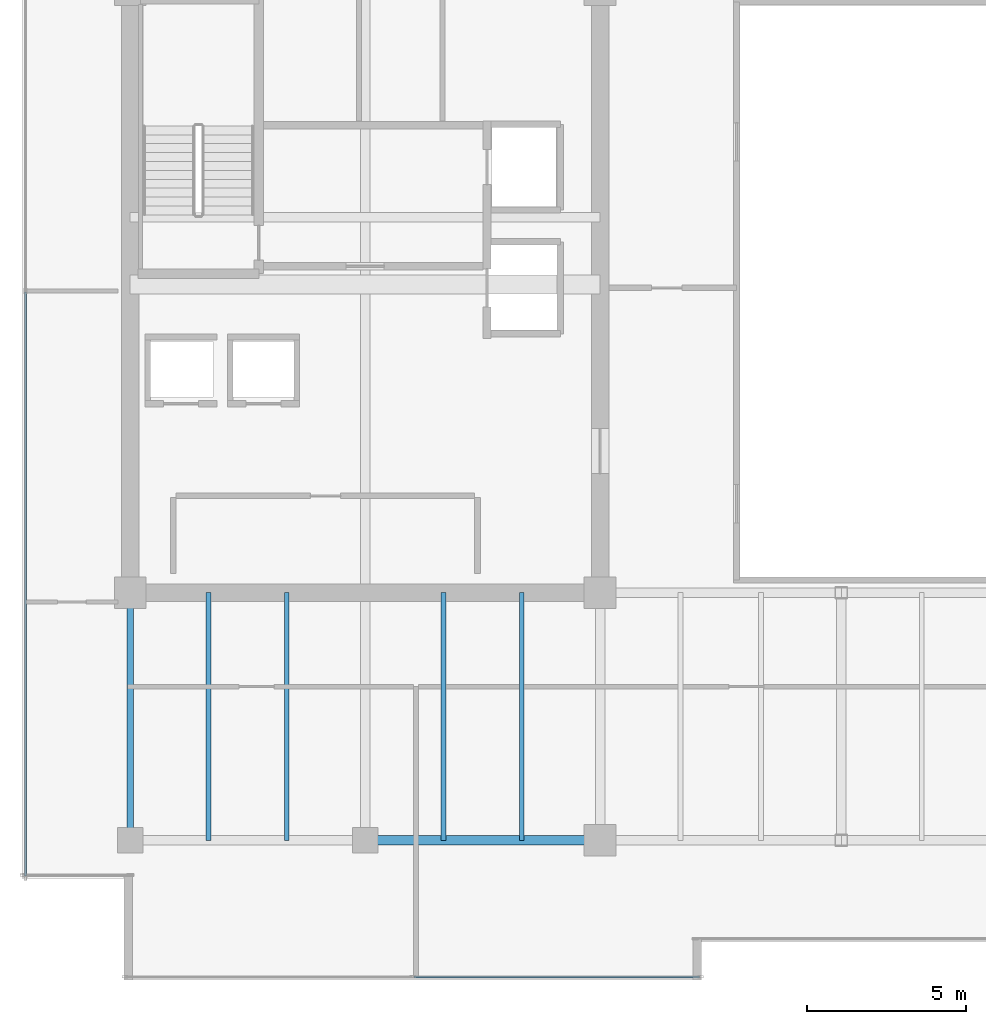
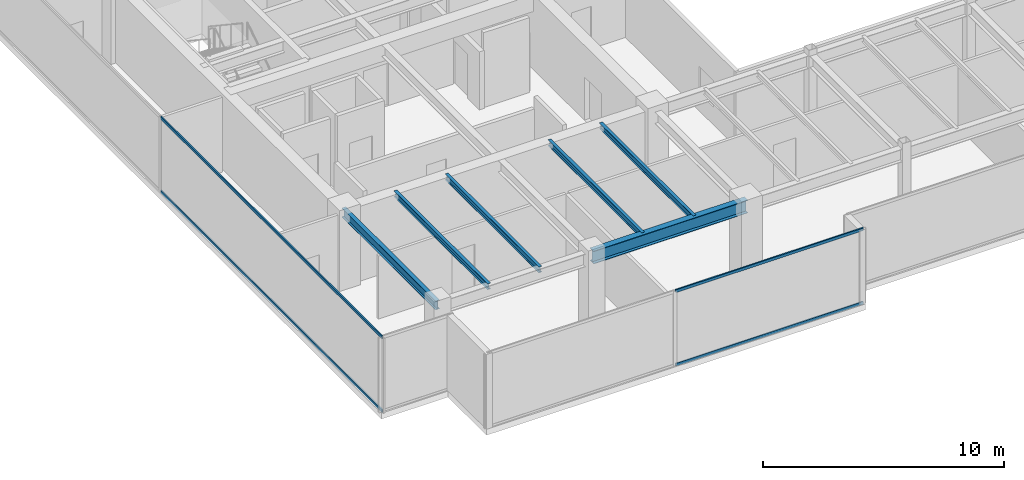
# One storey, part 6 of 33: 6 beams, 4 members, 2 elements without a shape of their own.
"""IFC4 building model written with IfcOpenShell, lengths in metres."""

from ifc_helpers import new_model, si_unit, direction, frame, origin, origin_2d, place, context, subcontext, project, spatial, hollow_rectangle, i_section, extrude, source, transform, mapped, material, layer, layer_set, material_profile, profile_set, type_object, type_shapes, element, aggregate, save


model = new_model("IFC4")

# Units and contexts
model_context = context("Model", 3, precision=1e-05, world=origin(), true_north=direction((0.0, 1.0)))
body_context = subcontext(model_context, "Body", "Model", "MODEL_VIEW")
ifc_project = project(units=[si_unit("LENGTHUNIT", "METRE"), si_unit("AREAUNIT", "SQUARE_METRE"), si_unit("VOLUMEUNIT", "CUBIC_METRE"), si_unit("PLANEANGLEUNIT", "RADIAN"), si_unit("MASSUNIT", "GRAM", prefix="KILO")], contexts=[model_context])

# Site, building, storey
site_placement = place(None, origin())
site = spatial("IfcSite", under=ifc_project, at=site_placement, CompositionType="ELEMENT")
building_placement = place(site_placement, origin())
building = spatial("IfcBuilding", under=site, at=building_placement, Name="Haelvirn Gate Laboratories", CompositionType="ELEMENT")
storey_placement = place(building_placement, frame((0.0, 0.0, 213.699951171875)))
storey = spatial("IfcBuildingStorey", under=building, at=storey_placement, Name="L51", CompositionType="ELEMENT", Elevation=213.699951171875)

# Beams
ifc_material_1 = material(Name="Steel SM355", Category="steel")
ifc_material_profile_1 = material_profile(ifc_material_1, i_section(OverallWidth=0.14990234375, OverallDepth=0.300048828125, WebThickness=0.006591796875, FlangeThickness=0.009033203125, at=origin_2d()), Name="H-300x150x6.5x9")
ifc_profile_set_1 = profile_set([ifc_material_profile_1], Name="Steel SM355")
beam_type_1 = type_object("IfcBeamType", Name="BM-J-300", PredefinedType="JOIST", material=ifc_profile_set_1)
shared_shape_1 = source(origin(), body_context, "Body", "SweptSolid", [
    extrude(i_section(OverallWidth=0.14990234375, OverallDepth=0.300048828125, WebThickness=0.006591796875, FlangeThickness=0.009033203125, at=origin_2d()), origin(), (0.0, 0.0, 1.0), 7.800048828125),
])
type_shapes(beam_type_1, [shared_shape_1])
for number, where, z_axis, x_axis, name in (
    (1, (9.8701171875, 7.0, 3.650146484375), (0.0, 1.0, 0.0), (-1.0, 0.0, 0.0), "L51 Composite Lab Joist South X9.87"),
    (2, (12.330078125, 7.0, 3.650146484375), (0.0, 1.0, 0.0), (-1.0, 0.0, 0.0), "L51 Composite Lab Joist South X12.33"),
    (3, (17.27001953125, 7.0, 3.650146484375), (0.0, 1.0, 0.0), (-1.0, 0.0, 0.0), "L51 Composite Lab Joist South X17.27"),
    (4, (19.72998046875, 7.0, 3.650146484375), (0.0, 1.0, 0.0), (-1.0, 0.0, 0.0), "L51 Composite Lab Joist South X19.73"),
):
    element("IfcBeam", number, at=place(storey_placement, frame(where, z_axis=z_axis, x_axis=x_axis)), inside=storey, type_object=beam_type_1, Name=name, PredefinedType="JOIST", context=body_context, shape_type="MappedRepresentation", body=[
        mapped(shared_shape_1, transform((0.0, 0.0, 0.0), scale=1.0)),
    ])
ifc_material_profile_2 = material_profile(ifc_material_1, i_section(OverallWidth=0.300048828125, OverallDepth=0.64990234375, WebThickness=0.012939453125, FlangeThickness=0.02197265625, at=origin_2d()), Name="H-650x300x13x22")
ifc_profile_set_2 = profile_set([ifc_material_profile_2], Name="Steel SM355")
beam_type_2 = type_object("IfcBeamType", Name="BM-G-650", PredefinedType="BEAM", material=ifc_profile_set_2)
shared_shape_2 = source(origin(), body_context, "Body", "SweptSolid", [
    extrude(i_section(OverallWidth=0.300048828125, OverallDepth=0.64990234375, WebThickness=0.012939453125, FlangeThickness=0.02197265625, at=origin_2d()), origin(), (0.0, 0.0, 1.0), 7.39990234375),
])
type_shapes(beam_type_2, [shared_shape_2])
beam_1_placement = place(storey_placement, frame((14.800048828125, 7.0, 3.47509765625), z_axis=(1.0, 0.0, 0.0), x_axis=(0.0, 1.0, 0.0)))
element("IfcBeam", 5, at=beam_1_placement, inside=storey, type_object=beam_type_2, Name="L51 Primary Girder Y7.0 (14.8-22.2)", PredefinedType="BEAM", context=body_context, shape_type="MappedRepresentation", body=[
    mapped(shared_shape_2, transform((0.0, 0.0, 0.0), scale=1.0)),
])
ifc_material_profile_3 = material_profile(ifc_material_1, i_section(OverallWidth=0.199951171875, OverallDepth=0.449951171875, WebThickness=0.009033203125, FlangeThickness=0.013916015625, at=origin_2d()), Name="H-450x200x9x14")
ifc_profile_set_3 = profile_set([ifc_material_profile_3], Name="Steel SM355")
beam_type_3 = type_object("IfcBeamType", Name="BM-SP-450", PredefinedType="SPANDREL", material=ifc_profile_set_3)
shared_shape_3 = source(origin(), body_context, "Body", "SweptSolid", [
    extrude(i_section(OverallWidth=0.199951171875, OverallDepth=0.449951171875, WebThickness=0.009033203125, FlangeThickness=0.013916015625, at=origin_2d()), origin(), (0.0, 0.0, 1.0), 7.800048828125),
])
type_shapes(beam_type_3, [shared_shape_3])
beam_2_placement = place(storey_placement, frame((7.39990234375, 7.0, 3.574951171875), z_axis=(0.0, 1.0, 0.0), x_axis=(-1.0, 0.0, 0.0)))
element("IfcBeam", 6, at=beam_2_placement, inside=storey, type_object=beam_type_3, Name="L51 Perimeter Spandrel X7.4 (7.0-14.8)", PredefinedType="SPANDREL", context=body_context, shape_type="MappedRepresentation", body=[
    mapped(shared_shape_3, transform((0.0, 0.0, 0.0), scale=1.0)),
])

# Curtain wall, members
ifc_material_2 = material(Name="Anodised bronze unitised aluminium & triple low-E glass", Category="aluminium")
ifc_layer = layer(ifc_material_2, 0.176025390625, Name="CW-SYS-4")
ifc_layer_set = layer_set([ifc_layer], Name="Anodised bronze unitised aluminium & triple low-E glass")
curtain_wall_type = type_object("IfcCurtainWallType", Name="CW-SYS-4", PredefinedType="NOTDEFINED", material=ifc_layer_set)
curtain_wall_1_placement = place(storey_placement, origin())
curtain_wall_1 = element("IfcCurtainWall", 7, at=curtain_wall_1_placement, inside=storey, type_object=curtain_wall_type, Name="L51 Unitised Curtain Wall CW-L51-P0-E00-1", PredefinedType="NOTDEFINED")
ifc_material_3 = material(Name="Extruded aluminium 6063-T6 (anodised bronze)", Category="aluminium")
ifc_material_profile_4 = material_profile(ifc_material_3, hollow_rectangle(XDim=0.06494140625, YDim=0.139892578125, WallThickness=0.00390625, at=origin_2d()), Name="CWT-140x65x4")
ifc_profile_set_4 = profile_set([ifc_material_profile_4], Name="Extruded aluminium 6063-T6 (anodised bronze)")
member_type = type_object("IfcMemberType", Name="CWT-T140", PredefinedType="USERDEFINED", material=ifc_profile_set_4)
shared_shape_4 = source(origin(), body_context, "Body", "SweptSolid", [
    extrude(hollow_rectangle(XDim=0.06494140625, YDim=0.139892578125, WallThickness=0.00390625, at=origin_2d()), origin(), (0.0, 0.0, 1.0), 8.9951171875),
])
member_1_placement = place(storey_placement, frame((16.3349609375, 2.699951171875, 0.032470703125), z_axis=(1.0, 0.0, 0.0), x_axis=(0.0, 1.0, 0.0)))
member_1 = element("IfcMember", 8, at=member_1_placement, type_object=member_type, Name="CW4 transom 2.1", ObjectType="TRANSOM", PredefinedType="USERDEFINED", context=body_context, shape_type="MappedRepresentation", body=[
    mapped(shared_shape_4, transform((0.0, 0.0, 0.0), scale=1.0)),
])
member_2_placement = place(storey_placement, frame((16.3349609375, 2.699951171875, 3.767578125), z_axis=(1.0, 0.0, 0.0), x_axis=(0.0, 1.0, 0.0)))
member_2 = element("IfcMember", 9, at=member_2_placement, type_object=member_type, Name="CW4 transom 2.2", ObjectType="TRANSOM", PredefinedType="USERDEFINED", context=body_context, shape_type="MappedRepresentation", body=[
    mapped(shared_shape_4, transform((0.0, 0.0, 0.0), scale=1.0)),
])
aggregate(curtain_wall_1, [member_1, member_2])

curtain_wall_2_placement = place(storey_placement, origin())
curtain_wall_2 = element("IfcCurtainWall", 10, at=curtain_wall_2_placement, inside=storey, type_object=curtain_wall_type, Name="L51 Unitised Curtain Wall CW-L51-P0-E17", PredefinedType="NOTDEFINED")
shared_shape_5 = source(origin(), body_context, "Body", "SweptSolid", [
    extrude(hollow_rectangle(XDim=0.06494140625, YDim=0.139892578125, WallThickness=0.00390625, at=origin_2d()), origin(), (0.0, 0.0, 1.0), 18.394775390625),
])
type_shapes(member_type, [shared_shape_4, shared_shape_5])
member_3_placement = place(storey_placement, frame((4.10009765625, 24.264892578125, 0.032470703125), z_axis=(0.0, -1.0, 0.0), x_axis=(1.0, 0.0, 0.0)))
member_3 = element("IfcMember", 11, at=member_3_placement, type_object=member_type, Name="CW4 transom 2.1", ObjectType="TRANSOM", PredefinedType="USERDEFINED", context=body_context, shape_type="MappedRepresentation", body=[
    mapped(shared_shape_5, transform((0.0, 0.0, 0.0), scale=1.0)),
])
member_4_placement = place(storey_placement, frame((4.10009765625, 24.264892578125, 3.767578125), z_axis=(0.0, -1.0, 0.0), x_axis=(1.0, 0.0, 0.0)))
member_4 = element("IfcMember", 12, at=member_4_placement, type_object=member_type, Name="CW4 transom 2.2", ObjectType="TRANSOM", PredefinedType="USERDEFINED", context=body_context, shape_type="MappedRepresentation", body=[
    mapped(shared_shape_5, transform((0.0, 0.0, 0.0), scale=1.0)),
])
aggregate(curtain_wall_2, [member_3, member_4])

save(model, "model.ifc")
